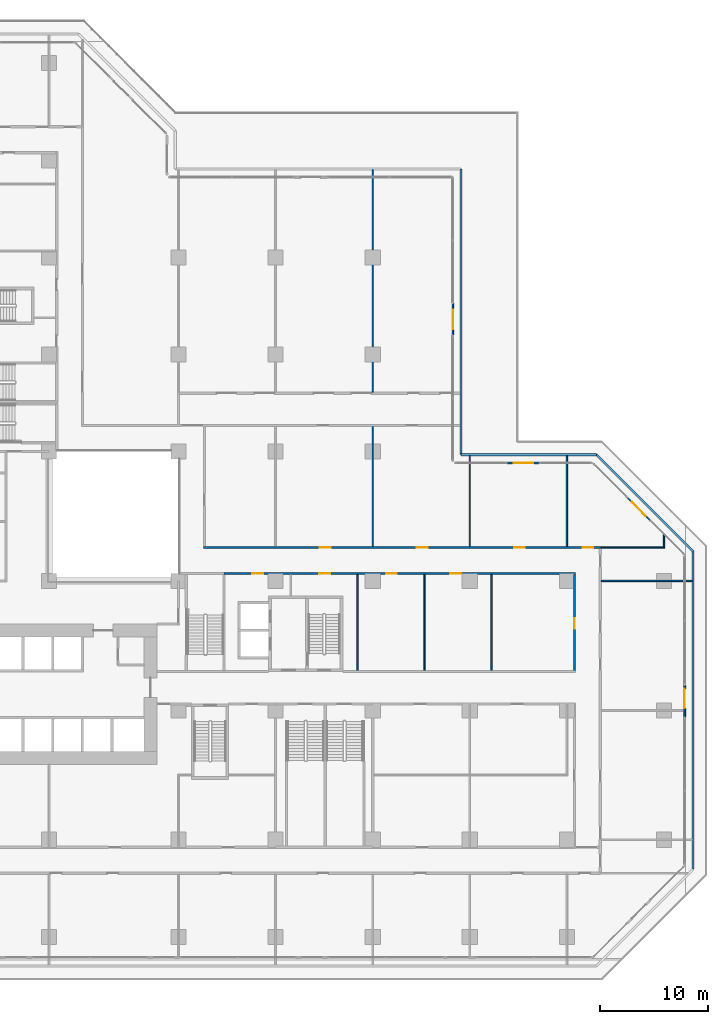
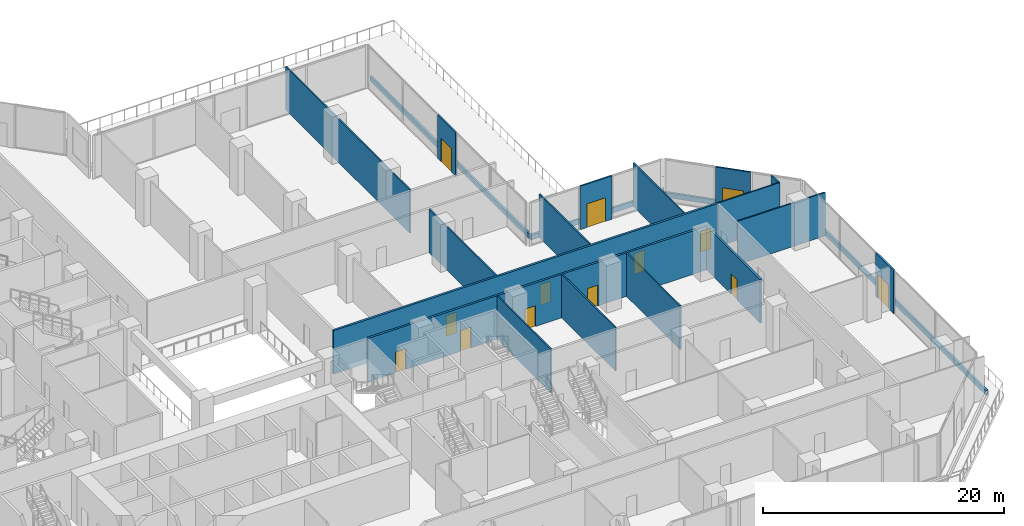
# One storey, part 20 of 31: 21 walls, 13 doors, 13 openings.
"""IFC4 building model written with IfcOpenShell, lengths in metres."""

from ifc_helpers import new_model, si_unit, direction, frame, frame_2d, origin, place, context, subcontext, project, spatial, rectangle, extrude, material, layer, layer_set, type_object, element, fill, save


model = new_model("IFC4")

# Units and contexts
model_context = context("Model", 3, precision=1e-05, world=origin(), true_north=direction((0.0, 1.0)))
body_context = subcontext(model_context, "Body", "Model", "MODEL_VIEW")
ifc_project = project(units=[si_unit("LENGTHUNIT", "METRE"), si_unit("AREAUNIT", "SQUARE_METRE"), si_unit("VOLUMEUNIT", "CUBIC_METRE"), si_unit("PLANEANGLEUNIT", "RADIAN"), si_unit("MASSUNIT", "GRAM", prefix="KILO")], contexts=[model_context])

# Site, building, storey
site_placement = place(None, origin())
site = spatial("IfcSite", under=ifc_project, at=site_placement, CompositionType="ELEMENT")
building_placement = place(site_placement, origin())
building = spatial("IfcBuilding", under=site, at=building_placement, Name="Chenar Terraces", CompositionType="ELEMENT")
storey_placement = place(building_placement, frame((0.0, 0.0, 12.0)))
storey = spatial("IfcBuildingStorey", under=building, at=storey_placement, Name="L02", CompositionType="ELEMENT", Elevation=12.0)

# Walls
ifc_material_1 = material(Name="Gypsum board on steel studs with mineral wool", Category="steel")
ifc_layer_1 = layer(ifc_material_1, 0.125)
ifc_layer_set_1 = layer_set([ifc_layer_1], Name="Gypsum board on steel studs with mineral wool")
wall_type_1 = type_object("IfcWallType", Name="Acoustic partition 125", PredefinedType="PARTITIONING", material=ifc_layer_set_1)
wall_1_placement = place(storey_placement, frame((52.60009765625, 15.699951171875, 0.0), z_axis=(0.0, 0.0, 1.0), x_axis=(0.0, 1.0, 0.0)))
element("IfcWall", 1, at=wall_1_placement, inside=storey, type_object=wall_type_1, Name="Partition L02-103", PredefinedType="PARTITIONING", context=body_context, shape_type="SweptSolid", body=[
    extrude(rectangle(XDim=8.900146484375, YDim=0.125, at=frame_2d((4.4501953125, 0.0))), origin(), (0.0, 0.0, 1.0), 4.39990234375),
])
wall_2_placement = place(storey_placement, frame((54.0, 27.199951171875, 0.0), z_axis=(0.0, 0.0, 1.0), x_axis=(0.0, 1.0, 0.0)))
element("IfcWall", 2, at=wall_2_placement, inside=storey, type_object=wall_type_1, Name="Partition L02-108", PredefinedType="PARTITIONING", context=body_context, shape_type="SweptSolid", body=[
    extrude(rectangle(XDim=11.10009765625, YDim=0.125, at=frame_2d((5.550048828125, 0.0))), origin(), (0.0, 0.0, 1.0), 4.39990234375),
])
wall_3_placement = place(storey_placement, frame((54.0, 41.5, 0.0), z_axis=(0.0, 0.0, 1.0), x_axis=(0.0, 1.0, 0.0)))
element("IfcWall", 3, at=wall_3_placement, inside=storey, type_object=wall_type_1, Name="Partition L02-109", PredefinedType="PARTITIONING", context=body_context, shape_type="SweptSolid", body=[
    extrude(rectangle(XDim=20.60009765625, YDim=0.125, at=frame_2d((10.300048828125, 0.0))), origin(), (0.0, 0.0, 1.0), 4.39990234375),
])
wall_4_placement = place(storey_placement, frame((58.800048828125, 15.699951171875, 0.0), z_axis=(0.0, 0.0, 1.0), x_axis=(0.0, 1.0, 0.0)))
element("IfcWall", 4, at=wall_4_placement, inside=storey, type_object=wall_type_1, Name="Partition L02-111", PredefinedType="PARTITIONING", context=body_context, shape_type="SweptSolid", body=[
    extrude(rectangle(XDim=8.900146484375, YDim=0.125, at=frame_2d((4.4501953125, 0.0))), origin(), (0.0, 0.0, 1.0), 4.39990234375),
])
wall_5_placement = place(storey_placement, frame((63.0, 27.199951171875, 0.0), z_axis=(0.0, 0.0, 1.0), x_axis=(0.0, 1.0, 0.0)))
element("IfcWall", 5, at=wall_5_placement, inside=storey, type_object=wall_type_1, Name="Partition L02-115", PredefinedType="PARTITIONING", context=body_context, shape_type="SweptSolid", body=[
    extrude(rectangle(XDim=8.400146484375, YDim=0.125, at=frame_2d((4.2001953125, 0.0))), origin(), (0.0, 0.0, 1.0), 4.39990234375),
])
wall_6_placement = place(storey_placement, frame((65.0, 15.699951171875, 0.0), z_axis=(0.0, 0.0, 1.0), x_axis=(0.0, 1.0, 0.0)))
element("IfcWall", 6, at=wall_6_placement, inside=storey, type_object=wall_type_1, Name="Partition L02-116", PredefinedType="PARTITIONING", context=body_context, shape_type="SweptSolid", body=[
    extrude(rectangle(XDim=8.900146484375, YDim=0.125, at=frame_2d((4.4501953125, 0.0))), origin(), (0.0, 0.0, 1.0), 4.39990234375),
])
wall_7_placement = place(storey_placement, frame((72.0, 27.199951171875, 0.0), z_axis=(0.0, 0.0, 1.0), x_axis=(0.0, 1.0, 0.0)))
element("IfcWall", 7, at=wall_7_placement, inside=storey, type_object=wall_type_1, Name="Partition L02-119", PredefinedType="PARTITIONING", context=body_context, shape_type="SweptSolid", body=[
    extrude(rectangle(XDim=8.400146484375, YDim=0.125, at=frame_2d((4.2001953125, 0.0))), origin(), (0.0, 0.0, 1.0), 4.39990234375),
])
wall_8_placement = place(storey_placement, frame((75.10009765625, 27.10009765625, 0.0), z_axis=(0.0, 0.0, 1.0), x_axis=(1.0, 0.0, 0.0)))
element("IfcWall", 8, at=wall_8_placement, inside=storey, type_object=wall_type_1, Name="Partition L02-124", PredefinedType="PARTITIONING", context=body_context, shape_type="SweptSolid", body=[
    extrude(rectangle(XDim=5.9619140625, YDim=0.125, at=frame_2d((2.98095703125, 0.0))), origin(), (0.0, 0.0, 1.0), 4.39990234375),
])
wall_9_placement = place(storey_placement, frame((75.199951171875, 24.0, 0.0), z_axis=(0.0, 0.0, 1.0), x_axis=(1.0, 0.0, 0.0)))
element("IfcWall", 9, at=wall_9_placement, inside=storey, type_object=wall_type_1, Name="Partition L02-127", PredefinedType="PARTITIONING", context=body_context, shape_type="SweptSolid", body=[
    extrude(rectangle(XDim=8.400146484375, YDim=0.125, at=frame_2d((4.2001953125, 0.0))), origin(), (0.0, 0.0, 1.0), 4.39990234375),
])
wall_10_placement = place(storey_placement, frame((81.0, 27.162109375, 0.0), z_axis=(0.0, 0.0, 1.0), x_axis=(0.0, 1.0, 0.0)))
element("IfcWall", 10, at=wall_10_placement, inside=storey, type_object=wall_type_1, Name="Partition L02-128", PredefinedType="PARTITIONING", context=body_context, shape_type="SweptSolid", body=[
    extrude(rectangle(XDim=1.1669921875, YDim=0.125, at=frame_2d((0.58349609375, 0.0))), origin(), (0.0, 0.0, 1.0), 4.39990234375),
])

# Wall, openings, doors
ifc_material_2 = material(Name="Gypsum board on steel studs with fire boards", Category="steel")
ifc_layer_2 = layer(ifc_material_2, 0.199951171875)
ifc_layer_set_2 = layer_set([ifc_layer_2], Name="Gypsum board on steel studs with fire boards")
wall_type_2 = type_object("IfcWallType", Name="Corridor wall 200", PredefinedType="PARTITIONING", material=ifc_layer_set_2)
wall_11_placement = place(storey_placement, frame((38.300048828125, 27.10009765625, 0.0), z_axis=(0.0, 0.0, 1.0), x_axis=(1.0, 0.0, 0.0)))
wall_11 = element("IfcWall", 11, at=wall_11_placement, inside=storey, type_object=wall_type_2, Name="Partition L02-087", PredefinedType="PARTITIONING", context=body_context, shape_type="SweptSolid", body=[
    extrude(rectangle(XDim=36.800048828125, YDim=0.199951171875, at=frame_2d((18.39990234375, 0.0))), origin(), (0.0, 0.0, 1.0), 4.39990234375),
])
opening_1_placement = place(wall_11_placement, frame((10.800048828125, 0.0, 0.0)))
opening_1 = element("IfcOpeningElement", 12, at=opening_1_placement, cuts=wall_11, Name="Opening DL02-29", PredefinedType="OPENING", context=body_context, shape_type="SweptSolid", body=[
    extrude(rectangle(XDim=1.0, YDim=2.10009765625, at=frame_2d((0.5, 1.050048828125))), frame((0.0, 0.10986328125, 0.0), z_axis=(0.0, -1.0, 0.0), x_axis=(1.0, 0.0, 0.0)), (0.0, 0.0, 1.0), 0.219970703125),
])
opening_2_placement = place(wall_11_placement, frame((19.800048828125, 0.0, 0.0)))
opening_2 = element("IfcOpeningElement", 13, at=opening_2_placement, cuts=wall_11, Name="Opening DL02-31", PredefinedType="OPENING", context=body_context, shape_type="SweptSolid", body=[
    extrude(rectangle(XDim=1.0, YDim=2.10009765625, at=frame_2d((0.5, 1.050048828125))), frame((0.0, 0.10986328125, 0.0), z_axis=(0.0, -1.0, 0.0), x_axis=(1.0, 0.0, 0.0)), (0.0, 0.0, 1.0), 0.219970703125),
])
opening_3_placement = place(wall_11_placement, frame((28.800048828125, 0.0, 0.0)))
opening_3 = element("IfcOpeningElement", 14, at=opening_3_placement, cuts=wall_11, Name="Opening DL02-33", PredefinedType="OPENING", context=body_context, shape_type="SweptSolid", body=[
    extrude(rectangle(XDim=1.0, YDim=2.10009765625, at=frame_2d((0.5, 1.050048828125))), frame((0.0, 0.10986328125, 0.0), z_axis=(0.0, -1.0, 0.0), x_axis=(1.0, 0.0, 0.0)), (0.0, 0.0, 1.0), 0.219970703125),
])
opening_4_placement = place(wall_11_placement, frame((35.14990234375, 0.0, 0.0)))
opening_4 = element("IfcOpeningElement", 15, at=opening_4_placement, cuts=wall_11, Name="Opening DL02-34", PredefinedType="OPENING", context=body_context, shape_type="SweptSolid", body=[
    extrude(rectangle(XDim=1.0, YDim=2.10009765625, at=frame_2d((0.5, 1.050048828125))), frame((0.0, 0.10986328125, 0.0), z_axis=(0.0, -1.0, 0.0), x_axis=(1.0, 0.0, 0.0)), (0.0, 0.0, 1.0), 0.219970703125),
])
ifc_material_3 = material(Name="Steel-framed fire-resisting door leaf", Category="steel")
door_type_1 = type_object("IfcDoorType", Name="Fire door FD60 1000 x 2100", OperationType="SINGLE_SWING_LEFT", PredefinedType="DOOR", material=ifc_material_3)
door_1_placement = place(opening_1_placement, frame((1.0, 0.0, 0.0), z_axis=(0.0, 0.0, 1.0), x_axis=(-1.0, 0.0, 0.0)))
door_1 = element("IfcDoor", 16, at=door_1_placement, inside=storey, type_object=door_type_1, Name="Door DL02-29", OperationType="SINGLE_SWING_LEFT", OverallHeight=2.10009765625, OverallWidth=1.0, PredefinedType="DOOR", context=body_context, shape_type="SweptSolid", body=[
    extrude(rectangle(XDim=1.0, YDim=2.10009765625, at=frame_2d((0.5, 1.050048828125))), frame((0.0, 0.02490234375, 0.0), z_axis=(0.0, -1.0, 0.0), x_axis=(1.0, 0.0, 0.0)), (0.0, 0.0, 1.0), 0.050048828125),
])
fill(opening_1, door_1)
door_2_placement = place(opening_2_placement, frame((1.0, 0.0, 0.0), z_axis=(0.0, 0.0, 1.0), x_axis=(-1.0, 0.0, 0.0)))
door_2 = element("IfcDoor", 17, at=door_2_placement, inside=storey, type_object=door_type_1, Name="Door DL02-31", OperationType="SINGLE_SWING_LEFT", OverallHeight=2.10009765625, OverallWidth=1.0, PredefinedType="DOOR", context=body_context, shape_type="SweptSolid", body=[
    extrude(rectangle(XDim=1.0, YDim=2.10009765625, at=frame_2d((0.5, 1.050048828125))), frame((0.0, 0.02490234375, 0.0), z_axis=(0.0, -1.0, 0.0), x_axis=(1.0, 0.0, 0.0)), (0.0, 0.0, 1.0), 0.050048828125),
])
fill(opening_2, door_2)
door_3_placement = place(opening_3_placement, origin())
door_3 = element("IfcDoor", 18, at=door_3_placement, inside=storey, type_object=door_type_1, Name="Door DL02-33", OperationType="SINGLE_SWING_RIGHT", OverallHeight=2.10009765625, OverallWidth=1.0, PredefinedType="DOOR", context=body_context, shape_type="SweptSolid", body=[
    extrude(rectangle(XDim=1.0, YDim=2.10009765625, at=frame_2d((0.5, 1.050048828125))), frame((0.0, 0.02490234375, 0.0), z_axis=(0.0, -1.0, 0.0), x_axis=(1.0, 0.0, 0.0)), (0.0, 0.0, 1.0), 0.050048828125),
])
fill(opening_3, door_3)
door_4_placement = place(opening_4_placement, origin())
door_4 = element("IfcDoor", 19, at=door_4_placement, inside=storey, type_object=door_type_1, Name="Door DL02-34", OperationType="SINGLE_SWING_LEFT", OverallHeight=2.10009765625, OverallWidth=1.0, PredefinedType="DOOR", context=body_context, shape_type="SweptSolid", body=[
    extrude(rectangle(XDim=1.0, YDim=2.10009765625, at=frame_2d((0.5, 1.050048828125))), frame((0.0, 0.02490234375, 0.0), z_axis=(0.0, -1.0, 0.0), x_axis=(1.0, 0.0, 0.0)), (0.0, 0.0, 1.0), 0.050048828125),
])
fill(opening_4, door_4)

wall_12_placement = place(storey_placement, frame((40.199951171875, 24.699951171875, 0.0), z_axis=(0.0, 0.0, 1.0), x_axis=(1.0, 0.0, 0.0)))
wall_12 = element("IfcWall", 20, at=wall_12_placement, inside=storey, type_object=wall_type_2, Name="Partition L02-091", PredefinedType="PARTITIONING", context=body_context, shape_type="SweptSolid", body=[
    extrude(rectangle(XDim=32.60009765625, YDim=0.199951171875, at=frame_2d((16.300048828125, 0.0))), origin(), (0.0, 0.0, 1.0), 4.39990234375),
])
opening_5_placement = place(wall_12_placement, frame((2.64990234375, 0.0, 0.0)))
opening_5 = element("IfcOpeningElement", 21, at=opening_5_placement, cuts=wall_12, Name="Opening DL02-4", PredefinedType="OPENING", context=body_context, shape_type="SweptSolid", body=[
    extrude(rectangle(XDim=1.0, YDim=2.10009765625, at=frame_2d((0.5, 1.050048828125))), frame((0.0, 0.10986328125, 0.0), z_axis=(0.0, -1.0, 0.0), x_axis=(1.0, 0.0, 0.0)), (0.0, 0.0, 1.0), 0.219970703125),
])
opening_6_placement = place(wall_12_placement, frame((8.85009765625, 0.0, 0.0)))
opening_6 = element("IfcOpeningElement", 22, at=opening_6_placement, cuts=wall_12, Name="Opening DL02-5", PredefinedType="OPENING", context=body_context, shape_type="SweptSolid", body=[
    extrude(rectangle(XDim=1.0, YDim=2.10009765625, at=frame_2d((0.5, 1.050048828125))), frame((0.0, 0.10986328125, 0.0), z_axis=(0.0, -1.0, 0.0), x_axis=(1.0, 0.0, 0.0)), (0.0, 0.0, 1.0), 0.219970703125),
])
opening_7_placement = place(wall_12_placement, frame((15.050048828125, 0.0, 0.0)))
opening_7 = element("IfcOpeningElement", 23, at=opening_7_placement, cuts=wall_12, Name="Opening DL02-6", PredefinedType="OPENING", context=body_context, shape_type="SweptSolid", body=[
    extrude(rectangle(XDim=1.0, YDim=2.10009765625, at=frame_2d((0.5, 1.050048828125))), frame((0.0, 0.10986328125, 0.0), z_axis=(0.0, -1.0, 0.0), x_axis=(1.0, 0.0, 0.0)), (0.0, 0.0, 1.0), 0.219970703125),
])
opening_8_placement = place(wall_12_placement, frame((21.0, 0.0, 0.0)))
opening_8 = element("IfcOpeningElement", 24, at=opening_8_placement, cuts=wall_12, Name="Opening DL02-7", PredefinedType="OPENING", context=body_context, shape_type="SweptSolid", body=[
    extrude(rectangle(XDim=1.0, YDim=2.10009765625, at=frame_2d((0.5, 1.050048828125))), frame((0.0, 0.10986328125, 0.0), z_axis=(0.0, -1.0, 0.0), x_axis=(1.0, 0.0, 0.0)), (0.0, 0.0, 1.0), 0.219970703125),
])
door_5_placement = place(opening_5_placement, frame((1.0, 0.0, 0.0), z_axis=(0.0, 0.0, 1.0), x_axis=(-1.0, 0.0, 0.0)))
door_5 = element("IfcDoor", 25, at=door_5_placement, inside=storey, type_object=door_type_1, Name="Door DL02-4", OperationType="SINGLE_SWING_LEFT", OverallHeight=2.10009765625, OverallWidth=1.0, PredefinedType="DOOR", context=body_context, shape_type="SweptSolid", body=[
    extrude(rectangle(XDim=1.0, YDim=2.10009765625, at=frame_2d((0.5, 1.050048828125))), frame((0.0, 0.02490234375, 0.0), z_axis=(0.0, -1.0, 0.0), x_axis=(1.0, 0.0, 0.0)), (0.0, 0.0, 1.0), 0.050048828125),
])
fill(opening_5, door_5)
door_6_placement = place(opening_6_placement, frame((1.0, 0.0, 0.0), z_axis=(0.0, 0.0, 1.0), x_axis=(-1.0, 0.0, 0.0)))
door_6 = element("IfcDoor", 26, at=door_6_placement, inside=storey, type_object=door_type_1, Name="Door DL02-5", OperationType="SINGLE_SWING_LEFT", OverallHeight=2.10009765625, OverallWidth=1.0, PredefinedType="DOOR", context=body_context, shape_type="SweptSolid", body=[
    extrude(rectangle(XDim=1.0, YDim=2.10009765625, at=frame_2d((0.5, 1.050048828125))), frame((0.0, 0.02490234375, 0.0), z_axis=(0.0, -1.0, 0.0), x_axis=(1.0, 0.0, 0.0)), (0.0, 0.0, 1.0), 0.050048828125),
])
fill(opening_6, door_6)
door_7_placement = place(opening_7_placement, frame((1.0, 0.0, 0.0), z_axis=(0.0, 0.0, 1.0), x_axis=(-1.0, 0.0, 0.0)))
door_7 = element("IfcDoor", 27, at=door_7_placement, inside=storey, type_object=door_type_1, Name="Door DL02-6", OperationType="SINGLE_SWING_RIGHT", OverallHeight=2.10009765625, OverallWidth=1.0, PredefinedType="DOOR", context=body_context, shape_type="SweptSolid", body=[
    extrude(rectangle(XDim=1.0, YDim=2.10009765625, at=frame_2d((0.5, 1.050048828125))), frame((0.0, 0.02490234375, 0.0), z_axis=(0.0, -1.0, 0.0), x_axis=(1.0, 0.0, 0.0)), (0.0, 0.0, 1.0), 0.050048828125),
])
fill(opening_7, door_7)
door_8_placement = place(opening_8_placement, frame((1.0, 0.0, 0.0), z_axis=(0.0, 0.0, 1.0), x_axis=(-1.0, 0.0, 0.0)))
door_8 = element("IfcDoor", 28, at=door_8_placement, inside=storey, type_object=door_type_1, Name="Door DL02-7", OperationType="SINGLE_SWING_LEFT", OverallHeight=2.10009765625, OverallWidth=1.0, PredefinedType="DOOR", context=body_context, shape_type="SweptSolid", body=[
    extrude(rectangle(XDim=1.0, YDim=2.10009765625, at=frame_2d((0.5, 1.050048828125))), frame((0.0, 0.02490234375, 0.0), z_axis=(0.0, -1.0, 0.0), x_axis=(1.0, 0.0, 0.0)), (0.0, 0.0, 1.0), 0.050048828125),
])
fill(opening_8, door_8)

# Wall, opening, door
wall_13_placement = place(storey_placement, frame((72.699951171875, 15.699951171875, 0.0), z_axis=(0.0, 0.0, 1.0), x_axis=(0.0, 1.0, 0.0)))
wall_13 = element("IfcWall", 29, at=wall_13_placement, inside=storey, type_object=wall_type_2, Name="Partition L02-121", PredefinedType="PARTITIONING", context=body_context, shape_type="SweptSolid", body=[
    extrude(rectangle(XDim=8.900146484375, YDim=0.199951171875, at=frame_2d((4.4501953125, 0.0))), origin(), (0.0, 0.0, 1.0), 4.39990234375),
])
opening_9_placement = place(wall_13_placement, frame((3.85009765625, 0.0, 0.0)))
opening_9 = element("IfcOpeningElement", 30, at=opening_9_placement, cuts=wall_13, Name="Opening DL02-8", PredefinedType="OPENING", context=body_context, shape_type="SweptSolid", body=[
    extrude(rectangle(XDim=1.0, YDim=2.10009765625, at=frame_2d((0.5, 1.050048828125))), frame((0.0, 0.10986328125, 0.0), z_axis=(0.0, -1.0, 0.0), x_axis=(1.0, 0.0, 0.0)), (0.0, 0.0, 1.0), 0.219970703125),
])
door_9_placement = place(opening_9_placement, origin())
door_9 = element("IfcDoor", 31, at=door_9_placement, inside=storey, type_object=door_type_1, Name="Door DL02-8", OperationType="SINGLE_SWING_RIGHT", OverallHeight=2.10009765625, OverallWidth=1.0, PredefinedType="DOOR", context=body_context, shape_type="SweptSolid", body=[
    extrude(rectangle(XDim=1.0, YDim=2.10009765625, at=frame_2d((0.5, 1.050048828125))), frame((0.0, 0.02490234375, 0.0), z_axis=(0.0, -1.0, 0.0), x_axis=(1.0, 0.0, 0.0)), (0.0, 0.0, 1.0), 0.050048828125),
])
fill(opening_9, door_9)

ifc_material_4 = material(Name="Aluminium framed glazing", Category="aluminium")
ifc_layer_3 = layer(ifc_material_4, 0.14990234375)
ifc_layer_set_3 = layer_set([ifc_layer_3], Name="Aluminium framed glazing")
wall_type_3 = type_object("IfcWallType", Name="Podium glazed wall 150", PredefinedType="SOLIDWALL", material=ifc_layer_set_3)
wall_14_placement = place(storey_placement, frame((82.925048828125, 11.35009765625, 0.0), z_axis=(0.0, 0.0, 1.0), x_axis=(0.0, 1.0, 0.0)))
wall_14 = element("IfcWall", 32, at=wall_14_placement, inside=storey, type_object=wall_type_3, Name="Podium glazed wall", PredefinedType="SOLIDWALL", context=body_context, shape_type="SweptSolid", body=[
    extrude(rectangle(XDim=3.0, YDim=0.14990234375, at=frame_2d((1.5, 0.0))), origin(), (0.0, 0.0, 1.0), 4.39990234375),
])
opening_10_placement = place(wall_14_placement, frame((0.85009765625, 0.0, 0.0)))
opening_10 = element("IfcOpeningElement", 33, at=opening_10_placement, cuts=wall_14, Name="Opening DL02-T1", PredefinedType="OPENING", context=body_context, shape_type="SweptSolid", body=[
    extrude(rectangle(XDim=1.800048828125, YDim=2.39990234375, at=frame_2d((0.89990234375, 1.199951171875))), frame((0.0, 0.0849609375, 0.0), z_axis=(0.0, -1.0, 0.0), x_axis=(1.0, 0.0, 0.0)), (0.0, 0.0, 1.0), 0.169921875),
])
ifc_material_5 = material(Name="Low emissivity double glazing, aluminium frame", Category="aluminium")
door_type_2 = type_object("IfcDoorType", Name="Terrace glazed double door 1800 x 2400", OperationType="DOUBLE_DOOR_SINGLE_SWING", PredefinedType="DOOR", material=ifc_material_5)
door_10_placement = place(opening_10_placement, frame((1.800048828125, 0.0, 0.0), z_axis=(0.0, 0.0, 1.0), x_axis=(-1.0, 0.0, 0.0)))
door_10 = element("IfcDoor", 34, at=door_10_placement, inside=storey, type_object=door_type_2, Name="Terrace glazed door", OperationType="DOUBLE_DOOR_SINGLE_SWING", OverallHeight=2.39990234375, OverallWidth=1.800048828125, PredefinedType="DOOR", context=body_context, shape_type="SweptSolid", body=[
    extrude(rectangle(XDim=1.800048828125, YDim=2.39990234375, at=frame_2d((0.89990234375, 1.199951171875))), frame((0.0, 0.02490234375, 0.0), z_axis=(0.0, -1.0, 0.0), x_axis=(1.0, 0.0, 0.0)), (0.0, 0.0, 1.0), 0.050048828125),
])
fill(opening_10, door_10)

wall_15_placement = place(storey_placement, frame((79.72509765625, 29.603759765625, 0.0), z_axis=(0.0, 0.0, 1.0), x_axis=(-0.707106781187, 0.707106781187, 0.0)))
wall_15 = element("IfcWall", 35, at=wall_15_placement, inside=storey, type_object=wall_type_3, Name="Podium glazed wall", PredefinedType="SOLIDWALL", context=body_context, shape_type="SweptSolid", body=[
    extrude(rectangle(XDim=3.0, YDim=0.14990234375, at=frame_2d((1.5, 0.0))), origin(), (0.0, 0.0, 1.0), 4.39990234375),
])
opening_11_placement = place(wall_15_placement, frame((0.60009765625, 0.0, 0.0)))
opening_11 = element("IfcOpeningElement", 36, at=opening_11_placement, cuts=wall_15, Name="Opening DL02-T1", PredefinedType="OPENING", context=body_context, shape_type="SweptSolid", body=[
    extrude(rectangle(XDim=1.800048828125, YDim=2.39990234375, at=frame_2d((0.89990234375, 1.199951171875))), frame((0.0, 0.0849609375, 0.0), z_axis=(0.0, -1.0, 0.0), x_axis=(1.0, 0.0, 0.0)), (0.0, 0.0, 1.0), 0.169921875),
])
door_11_placement = place(opening_11_placement, origin())
door_11 = element("IfcDoor", 37, at=door_11_placement, inside=storey, type_object=door_type_2, Name="Terrace glazed door", OperationType="DOUBLE_DOOR_SINGLE_SWING", OverallHeight=2.39990234375, OverallWidth=1.800048828125, PredefinedType="DOOR", context=body_context, shape_type="SweptSolid", body=[
    extrude(rectangle(XDim=1.800048828125, YDim=2.39990234375, at=frame_2d((0.89990234375, 1.199951171875))), frame((0.0, 0.02490234375, 0.0), z_axis=(0.0, -1.0, 0.0), x_axis=(1.0, 0.0, 0.0)), (0.0, 0.0, 1.0), 0.050048828125),
])
fill(opening_11, door_11)

wall_16_placement = place(storey_placement, frame((69.467529296875, 34.925048828125, 0.0), z_axis=(0.0, 0.0, 1.0), x_axis=(-1.0, 0.0, 0.0)))
wall_16 = element("IfcWall", 38, at=wall_16_placement, inside=storey, type_object=wall_type_3, Name="Podium glazed wall", PredefinedType="SOLIDWALL", context=body_context, shape_type="SweptSolid", body=[
    extrude(rectangle(XDim=3.0, YDim=0.14990234375, at=frame_2d((1.5, 0.0))), origin(), (0.0, 0.0, 1.0), 4.39990234375),
])
opening_12_placement = place(wall_16_placement, frame((0.60009765625, 0.0, 0.0)))
opening_12 = element("IfcOpeningElement", 39, at=opening_12_placement, cuts=wall_16, Name="Opening DL02-T1", PredefinedType="OPENING", context=body_context, shape_type="SweptSolid", body=[
    extrude(rectangle(XDim=1.800048828125, YDim=2.39990234375, at=frame_2d((0.89990234375, 1.199951171875))), frame((0.0, 0.0849609375, 0.0), z_axis=(0.0, -1.0, 0.0), x_axis=(1.0, 0.0, 0.0)), (0.0, 0.0, 1.0), 0.169921875),
])
door_12_placement = place(opening_12_placement, origin())
door_12 = element("IfcDoor", 40, at=door_12_placement, inside=storey, type_object=door_type_2, Name="Terrace glazed door", OperationType="DOUBLE_DOOR_SINGLE_SWING", OverallHeight=2.39990234375, OverallWidth=1.800048828125, PredefinedType="DOOR", context=body_context, shape_type="SweptSolid", body=[
    extrude(rectangle(XDim=1.800048828125, YDim=2.39990234375, at=frame_2d((0.89990234375, 1.199951171875))), frame((0.0, 0.02490234375, 0.0), z_axis=(0.0, -1.0, 0.0), x_axis=(1.0, 0.0, 0.0)), (0.0, 0.0, 1.0), 0.050048828125),
])
fill(opening_12, door_12)

wall_17_placement = place(storey_placement, frame((61.425048828125, 46.75, 0.0), z_axis=(0.0, 0.0, 1.0), x_axis=(0.0, 1.0, 0.0)))
wall_17 = element("IfcWall", 41, at=wall_17_placement, inside=storey, type_object=wall_type_3, Name="Podium glazed wall", PredefinedType="SOLIDWALL", context=body_context, shape_type="SweptSolid", body=[
    extrude(rectangle(XDim=3.0, YDim=0.14990234375, at=frame_2d((1.5, 0.0))), origin(), (0.0, 0.0, 1.0), 4.39990234375),
])
opening_13_placement = place(wall_17_placement, frame((0.60009765625, 0.0, 0.0)))
opening_13 = element("IfcOpeningElement", 42, at=opening_13_placement, cuts=wall_17, Name="Opening DL02-T1", PredefinedType="OPENING", context=body_context, shape_type="SweptSolid", body=[
    extrude(rectangle(XDim=1.800048828125, YDim=2.39990234375, at=frame_2d((0.89990234375, 1.199951171875))), frame((0.0, 0.0849609375, 0.0), z_axis=(0.0, -1.0, 0.0), x_axis=(1.0, 0.0, 0.0)), (0.0, 0.0, 1.0), 0.169921875),
])
door_13_placement = place(opening_13_placement, origin())
door_13 = element("IfcDoor", 43, at=door_13_placement, inside=storey, type_object=door_type_2, Name="Terrace glazed door", OperationType="DOUBLE_DOOR_SINGLE_SWING", OverallHeight=2.39990234375, OverallWidth=1.800048828125, PredefinedType="DOOR", context=body_context, shape_type="SweptSolid", body=[
    extrude(rectangle(XDim=1.800048828125, YDim=2.39990234375, at=frame_2d((0.89990234375, 1.199951171875))), frame((0.0, 0.02490234375, 0.0), z_axis=(0.0, -1.0, 0.0), x_axis=(1.0, 0.0, 0.0)), (0.0, 0.0, 1.0), 0.050048828125),
])
fill(opening_13, door_13)

# Walls
ifc_material_6 = material(Name="Terracotta cladding on insulated backing", Category="masonry")
ifc_layer_4 = layer(ifc_material_6, 0.199951171875)
ifc_layer_set_4 = layer_set([ifc_layer_4], Name="Terracotta cladding on insulated backing")
wall_type_4 = type_object("IfcWallType", Name="Terrace parapet upstand 200", PredefinedType="PARAPET", material=ifc_layer_set_4)
wall_18_placement = place(storey_placement, frame((62.199951171875, 62.199951171875, 0.0), z_axis=(0.0, 0.0, 1.0), x_axis=(0.0, -1.0, 0.0)))
element("IfcWall", 44, at=wall_18_placement, inside=storey, type_object=wall_type_4, Name="Terrace parapet", PredefinedType="PARAPET", context=body_context, shape_type="SweptSolid", body=[
    extrude(rectangle(XDim=26.5, YDim=0.199951171875, at=frame_2d((13.25, 0.0))), origin(), (0.0, 0.0, 1.0), 0.5),
])
wall_19_placement = place(storey_placement, frame((62.199951171875, 35.699951171875, 0.0), z_axis=(0.0, 0.0, 1.0), x_axis=(1.0, 0.0, 0.0)))
element("IfcWall", 45, at=wall_19_placement, inside=storey, type_object=wall_type_4, Name="Terrace parapet", PredefinedType="PARAPET", context=body_context, shape_type="SweptSolid", body=[
    extrude(rectangle(XDim=12.525146484375, YDim=0.199951171875, at=frame_2d((6.2626953125, 0.0))), origin(), (0.0, 0.0, 1.0), 0.5),
])
wall_20_placement = place(storey_placement, frame((74.72509765625, 35.699951171875, 0.0), z_axis=(0.0, 0.0, 1.0), x_axis=(0.707106781187, -0.707106781187, 0.0)))
element("IfcWall", 46, at=wall_20_placement, inside=storey, type_object=wall_type_4, Name="Terrace parapet", PredefinedType="PARAPET", context=body_context, shape_type="SweptSolid", body=[
    extrude(rectangle(XDim=12.6923828125, YDim=0.199951171875, at=frame_2d((6.34619140625, 0.0))), origin(), (0.0, 0.0, 1.0), 0.5),
])
wall_21_placement = place(storey_placement, frame((83.699951171875, 26.72509765625, 0.0), z_axis=(0.0, 0.0, 1.0), x_axis=(0.0, -1.0, 0.0)))
element("IfcWall", 47, at=wall_21_placement, inside=storey, type_object=wall_type_4, Name="Terrace parapet", PredefinedType="PARAPET", context=body_context, shape_type="SweptSolid", body=[
    extrude(rectangle(XDim=29.4501953125, YDim=0.199951171875, at=frame_2d((14.72509765625, 0.0))), origin(), (0.0, 0.0, 1.0), 0.5),
])

save(model, "model.ifc")
